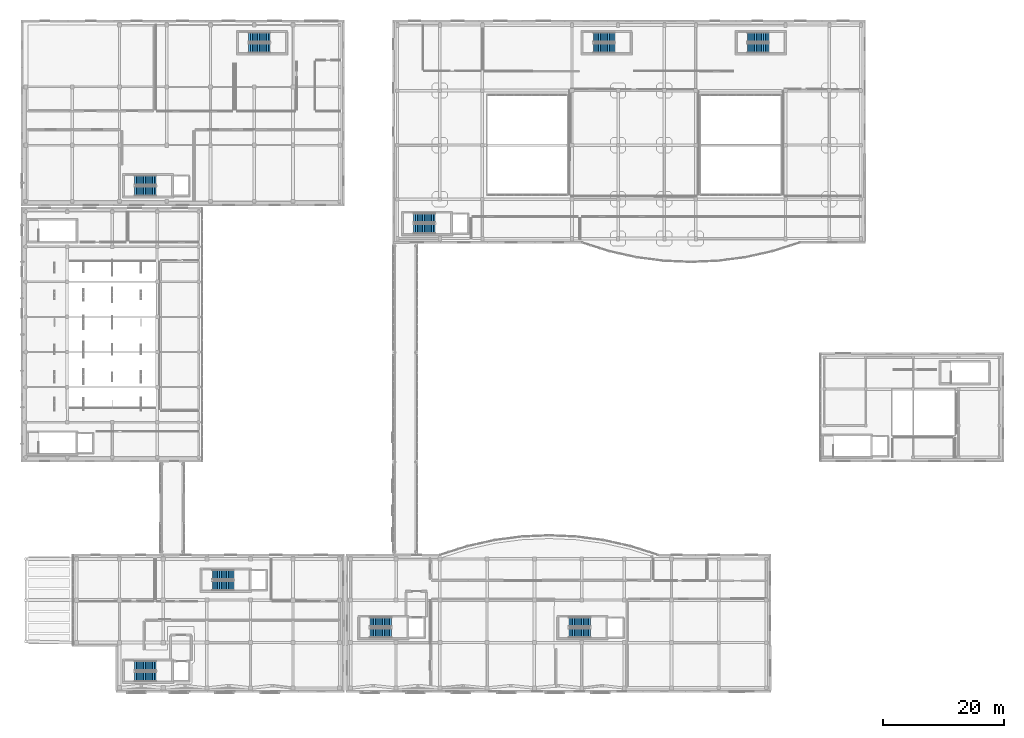
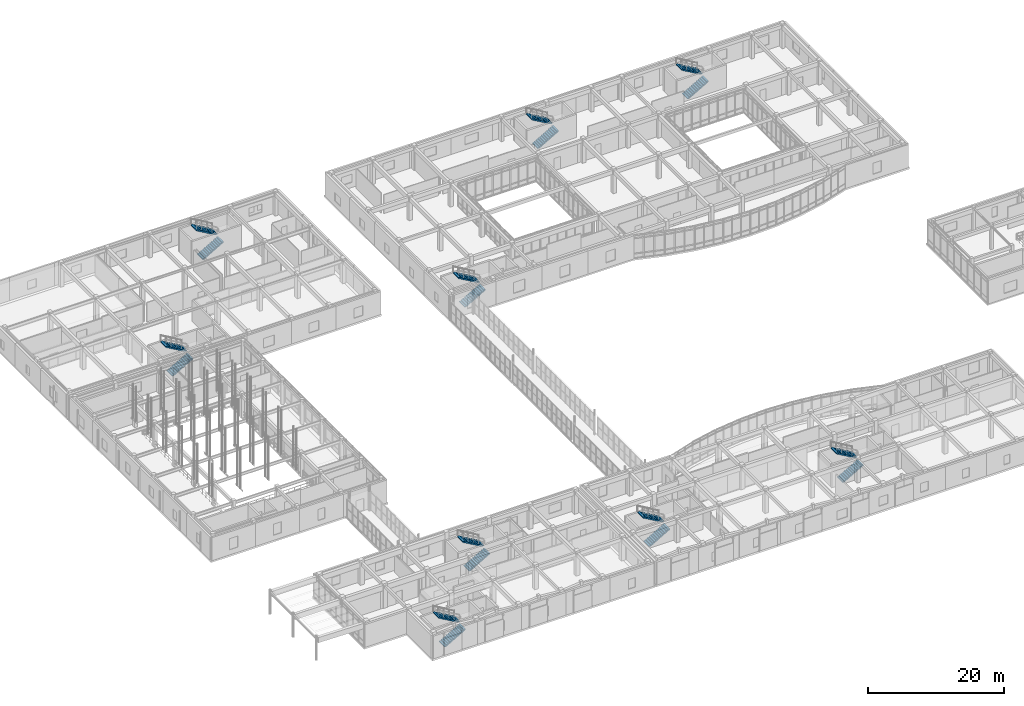
# One storey, part 129 of 142: 18 stair flights, 9 elements without a shape of their own.
"""IFC4 building model written with IfcOpenShell, lengths in metres."""

from ifc_helpers import new_model, si_unit, direction, frame, origin, place, context, subcontext, project, spatial, polyline, outline, extrude, material, type_object, element, aggregate, save


model = new_model("IFC4")

# Units and contexts
model_context = context("Model", 3, precision=1e-05, world=origin(), true_north=direction((0.0, 1.0)))
body_context = subcontext(model_context, "Body", "Model", "MODEL_VIEW")
ifc_project = project(units=[si_unit("LENGTHUNIT", "METRE"), si_unit("AREAUNIT", "SQUARE_METRE"), si_unit("VOLUMEUNIT", "CUBIC_METRE"), si_unit("PLANEANGLEUNIT", "RADIAN"), si_unit("MASSUNIT", "GRAM", prefix="KILO")], contexts=[model_context])

# Site, building, storey
site_placement = place(None, origin())
site = spatial("IfcSite", under=ifc_project, at=site_placement, CompositionType="ELEMENT")
building_placement = place(site_placement, origin())
building = spatial("IfcBuilding", under=site, at=building_placement, Name="Valcora Specialist Clinic", CompositionType="ELEMENT")
storey_placement = place(building_placement, frame((0.0, 0.0, 5.10009765625)))
storey = spatial("IfcBuildingStorey", under=building, at=storey_placement, Name="L01", CompositionType="ELEMENT", Elevation=5.10009765625)

# Stair, stair flights
ifc_material = material(Name="Concrete C40/50", Category="concrete")
stair_type = type_object("IfcStairType", Name="TY-ST-DG442", PredefinedType="HALF_TURN_STAIR", material=ifc_material)
stair_1_placement = place(storey_placement, origin())
stair_1 = element("IfcStair", 1, at=stair_1_placement, inside=storey, type_object=stair_type, Name="L01 Core C-V2A stair ST-V2A", PredefinedType="HALF_TURN_STAIR")
stair_flight_type = type_object("IfcStairFlightType", Name="TY-SF-RC160", PredefinedType="STRAIGHT", material=ifc_material)
stair_flight_1_placement = place(storey_placement, frame((18.699951171875, 82.60009765625, 0.0), z_axis=(0.0, 0.0, 1.0), x_axis=(1.0, 0.0, 0.0)))
stair_flight_1 = element("IfcStairFlight", 2, at=stair_flight_1_placement, type_object=stair_flight_type, Name="ST-V2A flight 1", NumberOfRisers=13, NumberOfTreads=12, PredefinedType="STRAIGHT", RiserHeight=0.17, TreadLength=0.295, context=body_context, shape_type="SweptSolid", body=[
    extrude(outline(polyline([(0.0, 0.0), (0.0, 0.169921875), (0.294921875, 0.169921875), (0.294921875, 0.340087890625), (0.590087890625, 0.340087890625), (0.590087890625, 0.510009765625), (0.885009765625, 0.510009765625), (0.885009765625, 0.679931640625), (1.179931640625, 0.679931640625), (1.179931640625, 0.85009765625), (1.47509765625, 0.85009765625), (1.47509765625, 1.02001953125), (1.77001953125, 1.02001953125), (1.77001953125, 1.18994140625), (2.06494140625, 1.18994140625), (2.06494140625, 1.360107421875), (2.360107421875, 1.360107421875), (2.360107421875, 1.530029296875), (2.655029296875, 1.530029296875), (2.655029296875, 1.699951171875), (2.949951171875, 1.699951171875), (2.949951171875, 1.8701171875), (3.2451171875, 1.8701171875), (3.2451171875, 2.0400390625), (3.5400390625, 2.0400390625), (3.5400390625, 2.2099609375), (3.5400390625, 1.85546875), (0.3203125, 0.0), (0.0, 0.0)])), frame((0.0, 0.800048828125, 0.0), z_axis=(0.0, -1.0, 0.0), x_axis=(1.0, 0.0, 0.0)), (0.0, 0.0, 1.0), 1.60009765625),
])
stair_flight_2_placement = place(storey_placement, frame((22.239990234375, 84.39990234375, 2.2099609375), z_axis=(0.0, 0.0, 1.0), x_axis=(-1.0, 0.0, 0.0)))
stair_flight_2 = element("IfcStairFlight", 3, at=stair_flight_2_placement, type_object=stair_flight_type, Name="ST-V2A flight 2", NumberOfRisers=13, NumberOfTreads=12, PredefinedType="STRAIGHT", RiserHeight=0.17, TreadLength=0.295, context=body_context, shape_type="SweptSolid", body=[
    extrude(outline(polyline([(0.0, 0.0), (0.0, 0.169921875), (0.294921875, 0.169921875), (0.294921875, 0.340087890625), (0.590087890625, 0.340087890625), (0.590087890625, 0.510009765625), (0.885009765625, 0.510009765625), (0.885009765625, 0.679931640625), (1.179931640625, 0.679931640625), (1.179931640625, 0.85009765625), (1.47509765625, 0.85009765625), (1.47509765625, 1.02001953125), (1.77001953125, 1.02001953125), (1.77001953125, 1.18994140625), (2.06494140625, 1.18994140625), (2.06494140625, 1.360107421875), (2.360107421875, 1.360107421875), (2.360107421875, 1.530029296875), (2.655029296875, 1.530029296875), (2.655029296875, 1.699951171875), (2.949951171875, 1.699951171875), (2.949951171875, 1.8701171875), (3.2451171875, 1.8701171875), (3.2451171875, 2.0400390625), (3.5400390625, 2.0400390625), (3.5400390625, 2.2099609375), (3.5400390625, 1.85546875), (0.3203125, 0.0), (0.0, 0.0)])), frame((0.0, 0.800048828125, 0.0), z_axis=(0.0, -1.0, 0.0), x_axis=(1.0, 0.0, 0.0)), (0.0, 0.0, 1.0), 1.60009765625),
])
aggregate(stair_1, [stair_flight_1, stair_flight_2])

stair_2_placement = place(storey_placement, origin())
stair_2 = element("IfcStair", 4, at=stair_2_placement, inside=storey, type_object=stair_type, Name="L01 Core C-V2B stair ST-V2B", PredefinedType="HALF_TURN_STAIR")
stair_flight_3_placement = place(storey_placement, frame((37.5, 106.199951171875, 0.0), z_axis=(0.0, 0.0, 1.0), x_axis=(1.0, 0.0, 0.0)))
stair_flight_3 = element("IfcStairFlight", 5, at=stair_flight_3_placement, type_object=stair_flight_type, Name="ST-V2B flight 1", NumberOfRisers=13, NumberOfTreads=12, PredefinedType="STRAIGHT", RiserHeight=0.17, TreadLength=0.295, context=body_context, shape_type="SweptSolid", body=[
    extrude(outline(polyline([(0.0, 0.0), (0.0, 0.169921875), (0.294921875, 0.169921875), (0.294921875, 0.340087890625), (0.590087890625, 0.340087890625), (0.590087890625, 0.510009765625), (0.885009765625, 0.510009765625), (0.885009765625, 0.679931640625), (1.179931640625, 0.679931640625), (1.179931640625, 0.85009765625), (1.47509765625, 0.85009765625), (1.47509765625, 1.02001953125), (1.77001953125, 1.02001953125), (1.77001953125, 1.18994140625), (2.06494140625, 1.18994140625), (2.06494140625, 1.360107421875), (2.360107421875, 1.360107421875), (2.360107421875, 1.530029296875), (2.655029296875, 1.530029296875), (2.655029296875, 1.699951171875), (2.949951171875, 1.699951171875), (2.949951171875, 1.8701171875), (3.2451171875, 1.8701171875), (3.2451171875, 2.0400390625), (3.5400390625, 2.0400390625), (3.5400390625, 2.2099609375), (3.5400390625, 1.85546875), (0.3203125, 0.0), (0.0, 0.0)])), frame((0.0, 0.800048828125, 0.0), z_axis=(0.0, -1.0, 0.0), x_axis=(1.0, 0.0, 0.0)), (0.0, 0.0, 1.0), 1.60009765625),
])
stair_flight_4_placement = place(storey_placement, frame((41.0400390625, 108.0, 2.2099609375), z_axis=(0.0, 0.0, 1.0), x_axis=(-1.0, 0.0, 0.0)))
stair_flight_4 = element("IfcStairFlight", 6, at=stair_flight_4_placement, type_object=stair_flight_type, Name="ST-V2B flight 2", NumberOfRisers=13, NumberOfTreads=12, PredefinedType="STRAIGHT", RiserHeight=0.17, TreadLength=0.295, context=body_context, shape_type="SweptSolid", body=[
    extrude(outline(polyline([(0.0, 0.0), (0.0, 0.169921875), (0.294921875, 0.169921875), (0.294921875, 0.340087890625), (0.590087890625, 0.340087890625), (0.590087890625, 0.510009765625), (0.885009765625, 0.510009765625), (0.885009765625, 0.679931640625), (1.179931640625, 0.679931640625), (1.179931640625, 0.85009765625), (1.47509765625, 0.85009765625), (1.47509765625, 1.02001953125), (1.77001953125, 1.02001953125), (1.77001953125, 1.18994140625), (2.06494140625, 1.18994140625), (2.06494140625, 1.360107421875), (2.360107421875, 1.360107421875), (2.360107421875, 1.530029296875), (2.655029296875, 1.530029296875), (2.655029296875, 1.699951171875), (2.949951171875, 1.699951171875), (2.949951171875, 1.8701171875), (3.2451171875, 1.8701171875), (3.2451171875, 2.0400390625), (3.5400390625, 2.0400390625), (3.5400390625, 2.2099609375), (3.5400390625, 1.85546875), (0.3203125, 0.0), (0.0, 0.0)])), frame((0.0, 0.800048828125, 0.0), z_axis=(0.0, -1.0, 0.0), x_axis=(1.0, 0.0, 0.0)), (0.0, 0.0, 1.0), 1.60009765625),
])
aggregate(stair_2, [stair_flight_3, stair_flight_4])

stair_3_placement = place(storey_placement, origin())
stair_3 = element("IfcStair", 7, at=stair_3_placement, inside=storey, type_object=stair_type, Name="L01 Core C-V4A stair ST-V4A", PredefinedType="HALF_TURN_STAIR")
stair_flight_5_placement = place(storey_placement, frame((64.699951171875, 76.39990234375, 0.0), z_axis=(0.0, 0.0, 1.0), x_axis=(1.0, 0.0, 0.0)))
stair_flight_5 = element("IfcStairFlight", 8, at=stair_flight_5_placement, type_object=stair_flight_type, Name="ST-V4A flight 1", NumberOfRisers=13, NumberOfTreads=12, PredefinedType="STRAIGHT", RiserHeight=0.17, TreadLength=0.295, context=body_context, shape_type="SweptSolid", body=[
    extrude(outline(polyline([(0.0, 0.0), (0.0, 0.169921875), (0.294921875, 0.169921875), (0.294921875, 0.340087890625), (0.590087890625, 0.340087890625), (0.590087890625, 0.510009765625), (0.885009765625, 0.510009765625), (0.885009765625, 0.679931640625), (1.179931640625, 0.679931640625), (1.179931640625, 0.85009765625), (1.47509765625, 0.85009765625), (1.47509765625, 1.02001953125), (1.77001953125, 1.02001953125), (1.77001953125, 1.18994140625), (2.06494140625, 1.18994140625), (2.06494140625, 1.360107421875), (2.360107421875, 1.360107421875), (2.360107421875, 1.530029296875), (2.655029296875, 1.530029296875), (2.655029296875, 1.699951171875), (2.949951171875, 1.699951171875), (2.949951171875, 1.8701171875), (3.2451171875, 1.8701171875), (3.2451171875, 2.0400390625), (3.5400390625, 2.0400390625), (3.5400390625, 2.2099609375), (3.5400390625, 1.85546875), (0.3203125, 0.0), (0.0, 0.0)])), frame((0.0, 0.800048828125, 0.0), z_axis=(0.0, -1.0, 0.0), x_axis=(1.0, 0.0, 0.0)), (0.0, 0.0, 1.0), 1.60009765625),
])
stair_flight_6_placement = place(storey_placement, frame((68.239990234375, 78.199951171875, 2.2099609375), z_axis=(0.0, 0.0, 1.0), x_axis=(-1.0, 0.0, 0.0)))
stair_flight_6 = element("IfcStairFlight", 9, at=stair_flight_6_placement, type_object=stair_flight_type, Name="ST-V4A flight 2", NumberOfRisers=13, NumberOfTreads=12, PredefinedType="STRAIGHT", RiserHeight=0.17, TreadLength=0.295, context=body_context, shape_type="SweptSolid", body=[
    extrude(outline(polyline([(0.0, 0.0), (0.0, 0.169921875), (0.294921875, 0.169921875), (0.294921875, 0.340087890625), (0.590087890625, 0.340087890625), (0.590087890625, 0.510009765625), (0.885009765625, 0.510009765625), (0.885009765625, 0.679931640625), (1.179931640625, 0.679931640625), (1.179931640625, 0.85009765625), (1.47509765625, 0.85009765625), (1.47509765625, 1.02001953125), (1.77001953125, 1.02001953125), (1.77001953125, 1.18994140625), (2.06494140625, 1.18994140625), (2.06494140625, 1.360107421875), (2.360107421875, 1.360107421875), (2.360107421875, 1.530029296875), (2.655029296875, 1.530029296875), (2.655029296875, 1.699951171875), (2.949951171875, 1.699951171875), (2.949951171875, 1.8701171875), (3.2451171875, 1.8701171875), (3.2451171875, 2.0400390625), (3.5400390625, 2.0400390625), (3.5400390625, 2.2099609375), (3.5400390625, 1.85546875), (0.3203125, 0.0), (0.0, 0.0)])), frame((0.0, 0.800048828125, 0.0), z_axis=(0.0, -1.0, 0.0), x_axis=(1.0, 0.0, 0.0)), (0.0, 0.0, 1.0), 1.60009765625),
])
aggregate(stair_3, [stair_flight_5, stair_flight_6])

stair_4_placement = place(storey_placement, origin())
stair_4 = element("IfcStair", 10, at=stair_4_placement, inside=storey, type_object=stair_type, Name="L01 Core C-V4B stair ST-V4B", PredefinedType="HALF_TURN_STAIR")
stair_flight_7_placement = place(storey_placement, frame((94.300048828125, 106.199951171875, 0.0), z_axis=(0.0, 0.0, 1.0), x_axis=(1.0, 0.0, 0.0)))
stair_flight_7 = element("IfcStairFlight", 11, at=stair_flight_7_placement, type_object=stair_flight_type, Name="ST-V4B flight 1", NumberOfRisers=13, NumberOfTreads=12, PredefinedType="STRAIGHT", RiserHeight=0.17, TreadLength=0.295, context=body_context, shape_type="SweptSolid", body=[
    extrude(outline(polyline([(0.0, 0.0), (0.0, 0.169921875), (0.294921875, 0.169921875), (0.294921875, 0.340087890625), (0.590087890625, 0.340087890625), (0.590087890625, 0.510009765625), (0.885009765625, 0.510009765625), (0.885009765625, 0.679931640625), (1.179931640625, 0.679931640625), (1.179931640625, 0.85009765625), (1.47509765625, 0.85009765625), (1.47509765625, 1.02001953125), (1.77001953125, 1.02001953125), (1.77001953125, 1.18994140625), (2.06494140625, 1.18994140625), (2.06494140625, 1.360107421875), (2.360107421875, 1.360107421875), (2.360107421875, 1.530029296875), (2.655029296875, 1.530029296875), (2.655029296875, 1.699951171875), (2.949951171875, 1.699951171875), (2.949951171875, 1.8701171875), (3.2451171875, 1.8701171875), (3.2451171875, 2.0400390625), (3.5400390625, 2.0400390625), (3.5400390625, 2.2099609375), (3.5400390625, 1.85546875), (0.3203125, 0.0), (0.0, 0.0)])), frame((0.0, 0.800048828125, 0.0), z_axis=(0.0, -1.0, 0.0), x_axis=(1.0, 0.0, 0.0)), (0.0, 0.0, 1.0), 1.60009765625),
])
stair_flight_8_placement = place(storey_placement, frame((97.840087890625, 108.0, 2.2099609375), z_axis=(0.0, 0.0, 1.0), x_axis=(-1.0, 0.0, 0.0)))
stair_flight_8 = element("IfcStairFlight", 12, at=stair_flight_8_placement, type_object=stair_flight_type, Name="ST-V4B flight 2", NumberOfRisers=13, NumberOfTreads=12, PredefinedType="STRAIGHT", RiserHeight=0.17, TreadLength=0.295, context=body_context, shape_type="SweptSolid", body=[
    extrude(outline(polyline([(0.0, 0.0), (0.0, 0.169921875), (0.294921875, 0.169921875), (0.294921875, 0.340087890625), (0.590087890625, 0.340087890625), (0.590087890625, 0.510009765625), (0.885009765625, 0.510009765625), (0.885009765625, 0.679931640625), (1.179931640625, 0.679931640625), (1.179931640625, 0.85009765625), (1.47509765625, 0.85009765625), (1.47509765625, 1.02001953125), (1.77001953125, 1.02001953125), (1.77001953125, 1.18994140625), (2.06494140625, 1.18994140625), (2.06494140625, 1.360107421875), (2.360107421875, 1.360107421875), (2.360107421875, 1.530029296875), (2.655029296875, 1.530029296875), (2.655029296875, 1.699951171875), (2.949951171875, 1.699951171875), (2.949951171875, 1.8701171875), (3.2451171875, 1.8701171875), (3.2451171875, 2.0400390625), (3.5400390625, 2.0400390625), (3.5400390625, 2.2099609375), (3.5400390625, 1.85546875), (0.3203125, 0.0), (0.0, 0.0)])), frame((0.0, 0.800048828125, 0.0), z_axis=(0.0, -1.0, 0.0), x_axis=(1.0, 0.0, 0.0)), (0.0, 0.0, 1.0), 1.60009765625),
])
aggregate(stair_4, [stair_flight_7, stair_flight_8])

stair_5_placement = place(storey_placement, origin())
stair_5 = element("IfcStair", 13, at=stair_5_placement, inside=storey, type_object=stair_type, Name="L01 Core C-V4C stair ST-V4C", PredefinedType="HALF_TURN_STAIR")
stair_flight_9_placement = place(storey_placement, frame((119.699951171875, 106.199951171875, 0.0), z_axis=(0.0, 0.0, 1.0), x_axis=(1.0, 0.0, 0.0)))
stair_flight_9 = element("IfcStairFlight", 14, at=stair_flight_9_placement, type_object=stair_flight_type, Name="ST-V4C flight 1", NumberOfRisers=13, NumberOfTreads=12, PredefinedType="STRAIGHT", RiserHeight=0.17, TreadLength=0.295, context=body_context, shape_type="SweptSolid", body=[
    extrude(outline(polyline([(0.0, 0.0), (0.0, 0.169921875), (0.294921875, 0.169921875), (0.294921875, 0.340087890625), (0.590087890625, 0.340087890625), (0.590087890625, 0.510009765625), (0.885009765625, 0.510009765625), (0.885009765625, 0.679931640625), (1.179931640625, 0.679931640625), (1.179931640625, 0.85009765625), (1.47509765625, 0.85009765625), (1.47509765625, 1.02001953125), (1.77001953125, 1.02001953125), (1.77001953125, 1.18994140625), (2.06494140625, 1.18994140625), (2.06494140625, 1.360107421875), (2.360107421875, 1.360107421875), (2.360107421875, 1.530029296875), (2.655029296875, 1.530029296875), (2.655029296875, 1.699951171875), (2.949951171875, 1.699951171875), (2.949951171875, 1.8701171875), (3.2451171875, 1.8701171875), (3.2451171875, 2.0400390625), (3.5400390625, 2.0400390625), (3.5400390625, 2.2099609375), (3.5400390625, 1.85546875), (0.3203125, 0.0), (0.0, 0.0)])), frame((0.0, 0.800048828125, 0.0), z_axis=(0.0, -1.0, 0.0), x_axis=(1.0, 0.0, 0.0)), (0.0, 0.0, 1.0), 1.60009765625),
])
stair_flight_10_placement = place(storey_placement, frame((123.239990234375, 108.0, 2.2099609375), z_axis=(0.0, 0.0, 1.0), x_axis=(-1.0, 0.0, 0.0)))
stair_flight_10 = element("IfcStairFlight", 15, at=stair_flight_10_placement, type_object=stair_flight_type, Name="ST-V4C flight 2", NumberOfRisers=13, NumberOfTreads=12, PredefinedType="STRAIGHT", RiserHeight=0.17, TreadLength=0.295, context=body_context, shape_type="SweptSolid", body=[
    extrude(outline(polyline([(0.0, 0.0), (0.0, 0.169921875), (0.294921875, 0.169921875), (0.294921875, 0.340087890625), (0.590087890625, 0.340087890625), (0.590087890625, 0.510009765625), (0.885009765625, 0.510009765625), (0.885009765625, 0.679931640625), (1.179931640625, 0.679931640625), (1.179931640625, 0.85009765625), (1.47509765625, 0.85009765625), (1.47509765625, 1.02001953125), (1.77001953125, 1.02001953125), (1.77001953125, 1.18994140625), (2.06494140625, 1.18994140625), (2.06494140625, 1.360107421875), (2.360107421875, 1.360107421875), (2.360107421875, 1.530029296875), (2.655029296875, 1.530029296875), (2.655029296875, 1.699951171875), (2.949951171875, 1.699951171875), (2.949951171875, 1.8701171875), (3.2451171875, 1.8701171875), (3.2451171875, 2.0400390625), (3.5400390625, 2.0400390625), (3.5400390625, 2.2099609375), (3.5400390625, 1.85546875), (0.3203125, 0.0), (0.0, 0.0)])), frame((0.0, 0.800048828125, 0.0), z_axis=(0.0, -1.0, 0.0), x_axis=(1.0, 0.0, 0.0)), (0.0, 0.0, 1.0), 1.60009765625),
])
aggregate(stair_5, [stair_flight_9, stair_flight_10])

stair_6_placement = place(storey_placement, origin())
stair_6 = element("IfcStair", 16, at=stair_6_placement, inside=storey, type_object=stair_type, Name="L01 Core C-V5A stair ST-V5A", PredefinedType="HALF_TURN_STAIR")
stair_flight_11_placement = place(storey_placement, frame((18.699951171875, 2.60009765625, 0.0), z_axis=(0.0, 0.0, 1.0), x_axis=(1.0, 0.0, 0.0)))
stair_flight_11 = element("IfcStairFlight", 17, at=stair_flight_11_placement, type_object=stair_flight_type, Name="ST-V5A flight 1", NumberOfRisers=13, NumberOfTreads=12, PredefinedType="STRAIGHT", RiserHeight=0.17, TreadLength=0.295, context=body_context, shape_type="SweptSolid", body=[
    extrude(outline(polyline([(0.0, 0.0), (0.0, 0.169921875), (0.294921875, 0.169921875), (0.294921875, 0.340087890625), (0.590087890625, 0.340087890625), (0.590087890625, 0.510009765625), (0.885009765625, 0.510009765625), (0.885009765625, 0.679931640625), (1.179931640625, 0.679931640625), (1.179931640625, 0.85009765625), (1.47509765625, 0.85009765625), (1.47509765625, 1.02001953125), (1.77001953125, 1.02001953125), (1.77001953125, 1.18994140625), (2.06494140625, 1.18994140625), (2.06494140625, 1.360107421875), (2.360107421875, 1.360107421875), (2.360107421875, 1.530029296875), (2.655029296875, 1.530029296875), (2.655029296875, 1.699951171875), (2.949951171875, 1.699951171875), (2.949951171875, 1.8701171875), (3.2451171875, 1.8701171875), (3.2451171875, 2.0400390625), (3.5400390625, 2.0400390625), (3.5400390625, 2.2099609375), (3.5400390625, 1.85546875), (0.3203125, 0.0), (0.0, 0.0)])), frame((0.0, 0.800048828125, 0.0), z_axis=(0.0, -1.0, 0.0), x_axis=(1.0, 0.0, 0.0)), (0.0, 0.0, 1.0), 1.60009765625),
])
stair_flight_12_placement = place(storey_placement, frame((22.239990234375, 4.39990234375, 2.2099609375), z_axis=(0.0, 0.0, 1.0), x_axis=(-1.0, 0.0, 0.0)))
stair_flight_12 = element("IfcStairFlight", 18, at=stair_flight_12_placement, type_object=stair_flight_type, Name="ST-V5A flight 2", NumberOfRisers=13, NumberOfTreads=12, PredefinedType="STRAIGHT", RiserHeight=0.17, TreadLength=0.295, context=body_context, shape_type="SweptSolid", body=[
    extrude(outline(polyline([(0.0, 0.0), (0.0, 0.169921875), (0.294921875, 0.169921875), (0.294921875, 0.340087890625), (0.590087890625, 0.340087890625), (0.590087890625, 0.510009765625), (0.885009765625, 0.510009765625), (0.885009765625, 0.679931640625), (1.179931640625, 0.679931640625), (1.179931640625, 0.85009765625), (1.47509765625, 0.85009765625), (1.47509765625, 1.02001953125), (1.77001953125, 1.02001953125), (1.77001953125, 1.18994140625), (2.06494140625, 1.18994140625), (2.06494140625, 1.360107421875), (2.360107421875, 1.360107421875), (2.360107421875, 1.530029296875), (2.655029296875, 1.530029296875), (2.655029296875, 1.699951171875), (2.949951171875, 1.699951171875), (2.949951171875, 1.8701171875), (3.2451171875, 1.8701171875), (3.2451171875, 2.0400390625), (3.5400390625, 2.0400390625), (3.5400390625, 2.2099609375), (3.5400390625, 1.85546875), (0.3203125, 0.0), (0.0, 0.0)])), frame((0.0, 0.800048828125, 0.0), z_axis=(0.0, -1.0, 0.0), x_axis=(1.0, 0.0, 0.0)), (0.0, 0.0, 1.0), 1.60009765625),
])
aggregate(stair_6, [stair_flight_11, stair_flight_12])

stair_7_placement = place(storey_placement, origin())
stair_7 = element("IfcStair", 19, at=stair_7_placement, inside=storey, type_object=stair_type, Name="L01 Core C-V5B stair ST-V5B", PredefinedType="HALF_TURN_STAIR")
stair_flight_13_placement = place(storey_placement, frame((31.5, 17.60009765625, 0.0), z_axis=(0.0, 0.0, 1.0), x_axis=(1.0, 0.0, 0.0)))
stair_flight_13 = element("IfcStairFlight", 20, at=stair_flight_13_placement, type_object=stair_flight_type, Name="ST-V5B flight 1", NumberOfRisers=13, NumberOfTreads=12, PredefinedType="STRAIGHT", RiserHeight=0.17, TreadLength=0.295, context=body_context, shape_type="SweptSolid", body=[
    extrude(outline(polyline([(0.0, 0.0), (0.0, 0.169921875), (0.294921875, 0.169921875), (0.294921875, 0.340087890625), (0.590087890625, 0.340087890625), (0.590087890625, 0.510009765625), (0.885009765625, 0.510009765625), (0.885009765625, 0.679931640625), (1.179931640625, 0.679931640625), (1.179931640625, 0.85009765625), (1.47509765625, 0.85009765625), (1.47509765625, 1.02001953125), (1.77001953125, 1.02001953125), (1.77001953125, 1.18994140625), (2.06494140625, 1.18994140625), (2.06494140625, 1.360107421875), (2.360107421875, 1.360107421875), (2.360107421875, 1.530029296875), (2.655029296875, 1.530029296875), (2.655029296875, 1.699951171875), (2.949951171875, 1.699951171875), (2.949951171875, 1.8701171875), (3.2451171875, 1.8701171875), (3.2451171875, 2.0400390625), (3.5400390625, 2.0400390625), (3.5400390625, 2.2099609375), (3.5400390625, 1.85546875), (0.3203125, 0.0), (0.0, 0.0)])), frame((0.0, 0.800048828125, 0.0), z_axis=(0.0, -1.0, 0.0), x_axis=(1.0, 0.0, 0.0)), (0.0, 0.0, 1.0), 1.60009765625),
])
stair_flight_14_placement = place(storey_placement, frame((35.0400390625, 19.39990234375, 2.2099609375), z_axis=(0.0, 0.0, 1.0), x_axis=(-1.0, 0.0, 0.0)))
stair_flight_14 = element("IfcStairFlight", 21, at=stair_flight_14_placement, type_object=stair_flight_type, Name="ST-V5B flight 2", NumberOfRisers=13, NumberOfTreads=12, PredefinedType="STRAIGHT", RiserHeight=0.17, TreadLength=0.295, context=body_context, shape_type="SweptSolid", body=[
    extrude(outline(polyline([(0.0, 0.0), (0.0, 0.169921875), (0.294921875, 0.169921875), (0.294921875, 0.340087890625), (0.590087890625, 0.340087890625), (0.590087890625, 0.510009765625), (0.885009765625, 0.510009765625), (0.885009765625, 0.679931640625), (1.179931640625, 0.679931640625), (1.179931640625, 0.85009765625), (1.47509765625, 0.85009765625), (1.47509765625, 1.02001953125), (1.77001953125, 1.02001953125), (1.77001953125, 1.18994140625), (2.06494140625, 1.18994140625), (2.06494140625, 1.360107421875), (2.360107421875, 1.360107421875), (2.360107421875, 1.530029296875), (2.655029296875, 1.530029296875), (2.655029296875, 1.699951171875), (2.949951171875, 1.699951171875), (2.949951171875, 1.8701171875), (3.2451171875, 1.8701171875), (3.2451171875, 2.0400390625), (3.5400390625, 2.0400390625), (3.5400390625, 2.2099609375), (3.5400390625, 1.85546875), (0.3203125, 0.0), (0.0, 0.0)])), frame((0.0, 0.800048828125, 0.0), z_axis=(0.0, -1.0, 0.0), x_axis=(1.0, 0.0, 0.0)), (0.0, 0.0, 1.0), 1.60009765625),
])
aggregate(stair_7, [stair_flight_13, stair_flight_14])

stair_8_placement = place(storey_placement, origin())
stair_8 = element("IfcStair", 22, at=stair_8_placement, inside=storey, type_object=stair_type, Name="L01 Core C-V6A stair ST-V6A", PredefinedType="HALF_TURN_STAIR")
stair_flight_15_placement = place(storey_placement, frame((57.5, 9.800048828125, 0.0), z_axis=(0.0, 0.0, 1.0), x_axis=(1.0, 0.0, 0.0)))
stair_flight_15 = element("IfcStairFlight", 23, at=stair_flight_15_placement, type_object=stair_flight_type, Name="ST-V6A flight 1", NumberOfRisers=13, NumberOfTreads=12, PredefinedType="STRAIGHT", RiserHeight=0.17, TreadLength=0.295, context=body_context, shape_type="SweptSolid", body=[
    extrude(outline(polyline([(0.0, 0.0), (0.0, 0.169921875), (0.294921875, 0.169921875), (0.294921875, 0.340087890625), (0.590087890625, 0.340087890625), (0.590087890625, 0.510009765625), (0.885009765625, 0.510009765625), (0.885009765625, 0.679931640625), (1.179931640625, 0.679931640625), (1.179931640625, 0.85009765625), (1.47509765625, 0.85009765625), (1.47509765625, 1.02001953125), (1.77001953125, 1.02001953125), (1.77001953125, 1.18994140625), (2.06494140625, 1.18994140625), (2.06494140625, 1.360107421875), (2.360107421875, 1.360107421875), (2.360107421875, 1.530029296875), (2.655029296875, 1.530029296875), (2.655029296875, 1.699951171875), (2.949951171875, 1.699951171875), (2.949951171875, 1.8701171875), (3.2451171875, 1.8701171875), (3.2451171875, 2.0400390625), (3.5400390625, 2.0400390625), (3.5400390625, 2.2099609375), (3.5400390625, 1.85546875), (0.3203125, 0.0), (0.0, 0.0)])), frame((0.0, 0.800048828125, 0.0), z_axis=(0.0, -1.0, 0.0), x_axis=(1.0, 0.0, 0.0)), (0.0, 0.0, 1.0), 1.60009765625),
])
stair_flight_16_placement = place(storey_placement, frame((61.0400390625, 11.60009765625, 2.2099609375), z_axis=(0.0, 0.0, 1.0), x_axis=(-1.0, 0.0, 0.0)))
stair_flight_16 = element("IfcStairFlight", 24, at=stair_flight_16_placement, type_object=stair_flight_type, Name="ST-V6A flight 2", NumberOfRisers=13, NumberOfTreads=12, PredefinedType="STRAIGHT", RiserHeight=0.17, TreadLength=0.295, context=body_context, shape_type="SweptSolid", body=[
    extrude(outline(polyline([(0.0, 0.0), (0.0, 0.169921875), (0.294921875, 0.169921875), (0.294921875, 0.340087890625), (0.590087890625, 0.340087890625), (0.590087890625, 0.510009765625), (0.885009765625, 0.510009765625), (0.885009765625, 0.679931640625), (1.179931640625, 0.679931640625), (1.179931640625, 0.85009765625), (1.47509765625, 0.85009765625), (1.47509765625, 1.02001953125), (1.77001953125, 1.02001953125), (1.77001953125, 1.18994140625), (2.06494140625, 1.18994140625), (2.06494140625, 1.360107421875), (2.360107421875, 1.360107421875), (2.360107421875, 1.530029296875), (2.655029296875, 1.530029296875), (2.655029296875, 1.699951171875), (2.949951171875, 1.699951171875), (2.949951171875, 1.8701171875), (3.2451171875, 1.8701171875), (3.2451171875, 2.0400390625), (3.5400390625, 2.0400390625), (3.5400390625, 2.2099609375), (3.5400390625, 1.85546875), (0.3203125, 0.0), (0.0, 0.0)])), frame((0.0, 0.800048828125, 0.0), z_axis=(0.0, -1.0, 0.0), x_axis=(1.0, 0.0, 0.0)), (0.0, 0.0, 1.0), 1.60009765625),
])
aggregate(stair_8, [stair_flight_15, stair_flight_16])

stair_9_placement = place(storey_placement, origin())
stair_9 = element("IfcStair", 25, at=stair_9_placement, inside=storey, type_object=stair_type, Name="L01 Core C-V6B stair ST-V6B", PredefinedType="HALF_TURN_STAIR")
stair_flight_17_placement = place(storey_placement, frame((90.300048828125, 9.800048828125, 0.0), z_axis=(0.0, 0.0, 1.0), x_axis=(1.0, 0.0, 0.0)))
stair_flight_17 = element("IfcStairFlight", 26, at=stair_flight_17_placement, type_object=stair_flight_type, Name="ST-V6B flight 1", NumberOfRisers=13, NumberOfTreads=12, PredefinedType="STRAIGHT", RiserHeight=0.17, TreadLength=0.295, context=body_context, shape_type="SweptSolid", body=[
    extrude(outline(polyline([(0.0, 0.0), (0.0, 0.169921875), (0.294921875, 0.169921875), (0.294921875, 0.340087890625), (0.590087890625, 0.340087890625), (0.590087890625, 0.510009765625), (0.885009765625, 0.510009765625), (0.885009765625, 0.679931640625), (1.179931640625, 0.679931640625), (1.179931640625, 0.85009765625), (1.47509765625, 0.85009765625), (1.47509765625, 1.02001953125), (1.77001953125, 1.02001953125), (1.77001953125, 1.18994140625), (2.06494140625, 1.18994140625), (2.06494140625, 1.360107421875), (2.360107421875, 1.360107421875), (2.360107421875, 1.530029296875), (2.655029296875, 1.530029296875), (2.655029296875, 1.699951171875), (2.949951171875, 1.699951171875), (2.949951171875, 1.8701171875), (3.2451171875, 1.8701171875), (3.2451171875, 2.0400390625), (3.5400390625, 2.0400390625), (3.5400390625, 2.2099609375), (3.5400390625, 1.85546875), (0.3203125, 0.0), (0.0, 0.0)])), frame((0.0, 0.800048828125, 0.0), z_axis=(0.0, -1.0, 0.0), x_axis=(1.0, 0.0, 0.0)), (0.0, 0.0, 1.0), 1.60009765625),
])
stair_flight_18_placement = place(storey_placement, frame((93.840087890625, 11.60009765625, 2.2099609375), z_axis=(0.0, 0.0, 1.0), x_axis=(-1.0, 0.0, 0.0)))
stair_flight_18 = element("IfcStairFlight", 27, at=stair_flight_18_placement, type_object=stair_flight_type, Name="ST-V6B flight 2", NumberOfRisers=13, NumberOfTreads=12, PredefinedType="STRAIGHT", RiserHeight=0.17, TreadLength=0.295, context=body_context, shape_type="SweptSolid", body=[
    extrude(outline(polyline([(0.0, 0.0), (0.0, 0.169921875), (0.294921875, 0.169921875), (0.294921875, 0.340087890625), (0.590087890625, 0.340087890625), (0.590087890625, 0.510009765625), (0.885009765625, 0.510009765625), (0.885009765625, 0.679931640625), (1.179931640625, 0.679931640625), (1.179931640625, 0.85009765625), (1.47509765625, 0.85009765625), (1.47509765625, 1.02001953125), (1.77001953125, 1.02001953125), (1.77001953125, 1.18994140625), (2.06494140625, 1.18994140625), (2.06494140625, 1.360107421875), (2.360107421875, 1.360107421875), (2.360107421875, 1.530029296875), (2.655029296875, 1.530029296875), (2.655029296875, 1.699951171875), (2.949951171875, 1.699951171875), (2.949951171875, 1.8701171875), (3.2451171875, 1.8701171875), (3.2451171875, 2.0400390625), (3.5400390625, 2.0400390625), (3.5400390625, 2.2099609375), (3.5400390625, 1.85546875), (0.3203125, 0.0), (0.0, 0.0)])), frame((0.0, 0.800048828125, 0.0), z_axis=(0.0, -1.0, 0.0), x_axis=(1.0, 0.0, 0.0)), (0.0, 0.0, 1.0), 1.60009765625),
])
aggregate(stair_9, [stair_flight_17, stair_flight_18])

save(model, "model.ifc")
